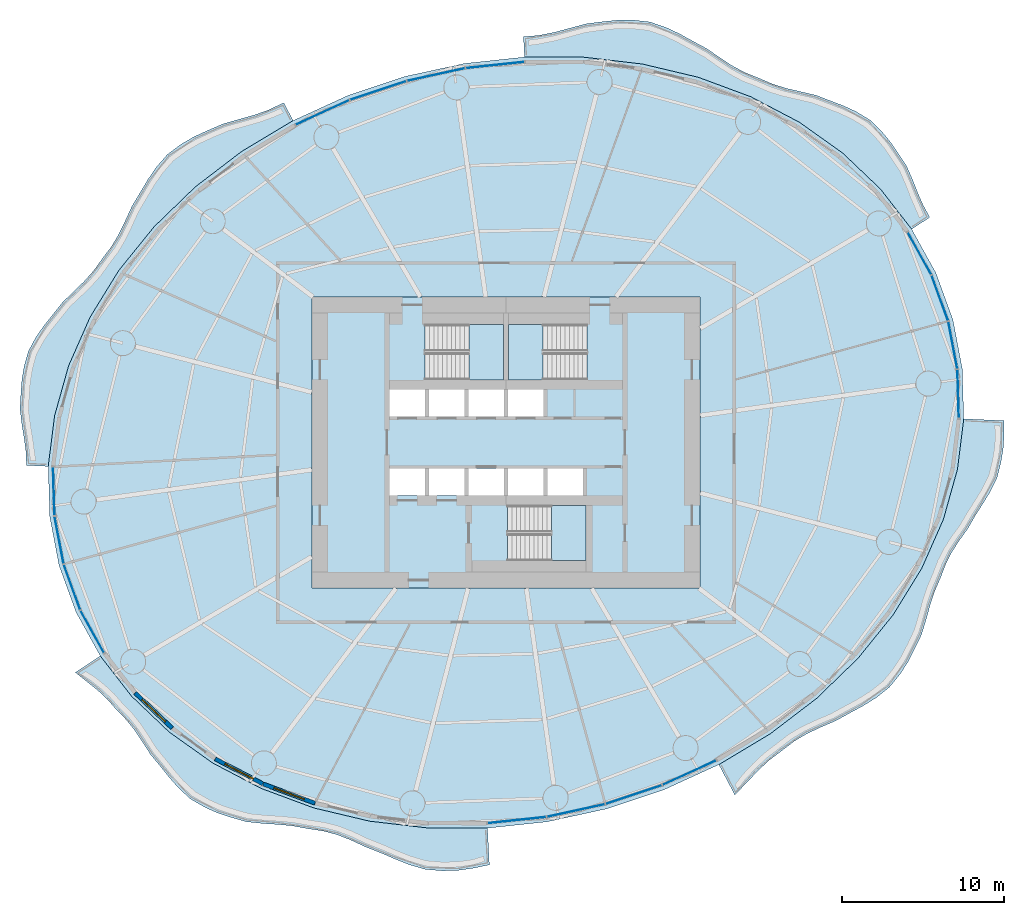
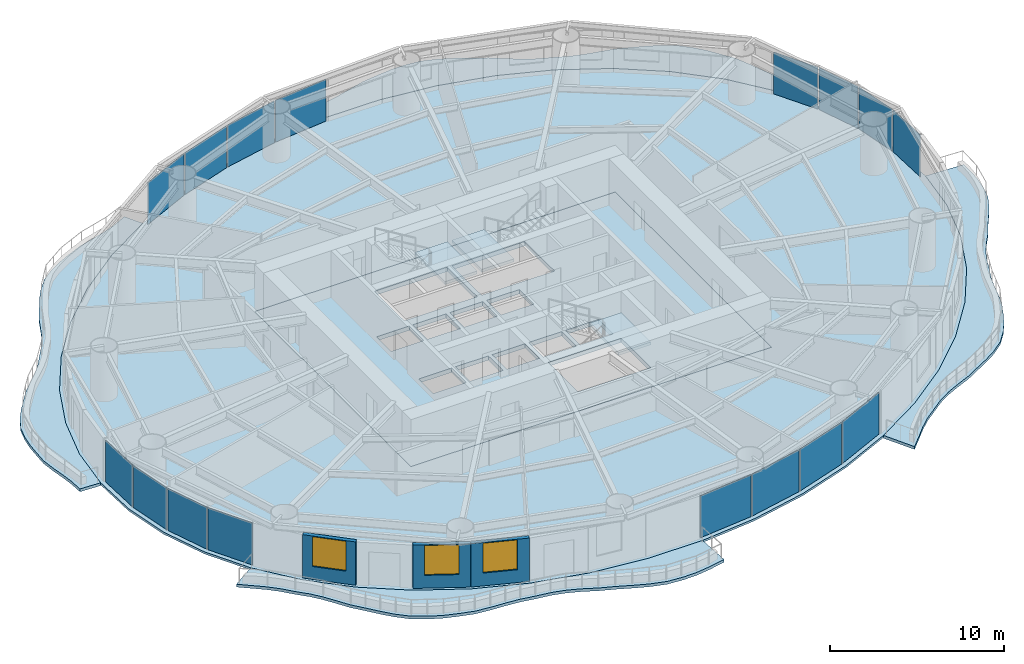
# One storey, part 7 of 16: 16 plates, 9 slabs, 3 walls, 3 windows, 3 openings, 19 elements without a shape of their own.
"""IFC4 building model written with IfcOpenShell, lengths in metres."""

from ifc_helpers import new_model, si_unit, direction, frame, frame_2d, origin, origin_2d, place, context, subcontext, project, spatial, polyline, rectangle, outline, extrude, material, layer, layer_set, type_object, element, fill, aggregate, save


model = new_model("IFC4")

# Units and contexts
model_context = context("Model", 3, precision=1e-05, world=origin(), true_north=direction((0.0, 1.0)))
body_context = subcontext(model_context, "Body", "Model", "MODEL_VIEW")
ifc_project = project(units=[si_unit("LENGTHUNIT", "METRE"), si_unit("AREAUNIT", "SQUARE_METRE"), si_unit("VOLUMEUNIT", "CUBIC_METRE"), si_unit("PLANEANGLEUNIT", "RADIAN"), si_unit("MASSUNIT", "GRAM", prefix="KILO")], contexts=[model_context])

# Site, building, storey
site_placement = place(None, origin())
site = spatial("IfcSite", under=ifc_project, at=site_placement, CompositionType="ELEMENT")
building_placement = place(site_placement, origin())
building = spatial("IfcBuilding", under=site, at=building_placement, Name="Vermilion Reach Broadcast Tower", CompositionType="ELEMENT")
storey_placement = place(building_placement, frame((0.0, 0.0, 95.800048828125)))
storey = spatial("IfcBuildingStorey", under=building, at=storey_placement, Name="L21", CompositionType="ELEMENT", Elevation=95.800048828125)

# Slabs
ifc_material_1 = material(Name="Concrete C40/50", Category="concrete")
ifc_layer_1 = layer(ifc_material_1, 0.199951171875)
ifc_layer_set_1 = layer_set([ifc_layer_1], Name="Balcony slab 200")
slab_type_1 = type_object("IfcSlabType", Name="Balcony slab 200", PredefinedType="FLOOR", material=ifc_layer_set_1)
placement_1 = place(storey_placement, frame((0.0, 0.0, -0.199951171875)))
element("IfcSlab", 1, at=placement_1, inside=storey, type_object=slab_type_1, Name="Balcony slab L21 group 1", PredefinedType="FLOOR", context=body_context, shape_type="SweptSolid", body=[
    extrude(outline(polyline([(19.07373046875, 13.1884765625), (17.14208984375, 15.67333984375), (14.814453125, 17.89013671875), (12.130615234375, 19.800537109375), (9.136474609375, 21.372314453125), (5.883544921875, 22.578369140625), (2.42724609375, 23.398193359375), (-1.17333984375, 23.817626953125), (-4.856689453125, 23.829345703125), (-4.92138671875, 25.085693359375), (-3.931396484375, 25.17333984375), (-3.010009765625, 25.357421875), (-2.08837890625, 25.607666015625), (-1.05029296875, 25.883544921875), (-0.00439453125, 26.020263671875), (0.918701171875, 26.113525390625), (1.831787109375, 26.118896484375), (2.8857421875, 26.00146484375), (3.877685546875, 25.665771484375), (4.698974609375, 25.2802734375), (5.50634765625, 24.836181640625), (6.417724609375, 24.34326171875), (7.25048828125, 23.770263671875), (7.9951171875, 23.283935546875), (8.76708984375, 22.87109375), (9.64794921875, 22.51953125), (10.501220703125, 22.153076171875), (11.322265625, 21.898193359375), (12.172607421875, 21.69921875), (13.155517578125, 21.468505859375), (14.076904296875, 21.114501953125), (14.8720703125, 20.811279296875), (15.6328125, 20.4599609375), (16.50146484375, 19.934814453125), (17.2119140625, 19.242431640625), (17.728759765625, 18.619873046875), (18.196044921875, 17.945556640625), (18.74462890625, 17.122802734375), (19.138916015625, 16.22900390625), (19.4375, 15.464599609375), (19.760498046875, 14.718994140625), (20.190185546875, 13.925537109375), (19.07373046875, 13.1884765625)])), origin(), (0.0, 0.0, 1.0), 0.199951171875),
])
element("IfcSlab", 2, at=placement_1, inside=storey, type_object=slab_type_1, Name="Balcony slab L21 group 2", PredefinedType="FLOOR", context=body_context, shape_type="SweptSolid", body=[
    extrude(outline(polyline([(-19.156005859375, 19.9013671875), (-22.31640625, 18.009765625), (-25.197265625, 15.809814453125), (-27.75, 13.33935546875), (-29.930419921875, 10.640869140625), (-31.701416015625, 7.76025390625), (-33.03271484375, 4.74658203125), (-33.9013671875, 1.652099609375), (-34.29248046875, -1.470947265625), (-35.63818359375, -1.4072265625), (-35.678955078125, -0.504150390625), (-35.785400390625, 0.302001953125), (-35.920654296875, 1.112060546875), (-36.037109375, 2.0830078125), (-35.982666015625, 3.07080078125), (-35.92041015625, 3.88818359375), (-35.788330078125, 4.685546875), (-35.52490234375, 5.641845703125), (-35.040771484375, 6.5341796875), (-34.561279296875, 7.222900390625), (-34.029541015625, 7.88818359375), (-33.417724609375, 8.66162109375), (-32.6923828125, 9.36181640625), (-32.066162109375, 9.96923828125), (-31.495361328125, 10.610595703125), (-30.95458984375, 11.364990234375), (-30.3828125, 12.12158203125), (-29.93505859375, 12.874755859375), (-29.546875, 13.67626953125), (-29.124755859375, 14.596435546875), (-28.592041015625, 15.486328125), (-28.12255859375, 16.2783203125), (-27.609619140625, 17.025390625), (-26.923583984375, 17.81591796875), (-26.07275390625, 18.449462890625), (-25.281005859375, 18.90576171875), (-24.436767578125, 19.29345703125), (-23.467041015625, 19.707275390625), (-22.4345703125, 20.000244140625), (-21.516357421875, 20.2587890625), (-20.633056640625, 20.576171875), (-19.740966796875, 21.012451171875), (-19.156005859375, 19.9013671875)])), origin(), (0.0, 0.0, 1.0), 0.199951171875),
])
element("IfcSlab", 3, at=placement_1, inside=storey, type_object=slab_type_1, Name="Balcony slab L21 group 3", PredefinedType="FLOOR", context=body_context, shape_type="SweptSolid", body=[
    extrude(outline(polyline([(-31.07373046875, -13.1884765625), (-29.14208984375, -15.67333984375), (-26.814453125, -17.89013671875), (-24.130615234375, -19.800537109375), (-21.136474609375, -21.372314453125), (-17.883544921875, -22.578369140625), (-14.42724609375, -23.398193359375), (-10.82666015625, -23.817626953125), (-7.143310546875, -23.829345703125), (-7.026123046875, -26.09814453125), (-8.072265625, -26.313232421875), (-8.993408203125, -26.443115234375), (-9.914306640625, -26.466552734375), (-10.979248046875, -26.378662109375), (-12.00244140625, -26.079833984375), (-12.874267578125, -25.731201171875), (-13.74267578125, -25.35400390625), (-14.705810546875, -24.979248046875), (-15.614013671875, -24.55419921875), (-16.449951171875, -24.23046875), (-17.308837890625, -24.003662109375), (-18.27099609375, -23.858642578125), (-19.218994140625, -23.685546875), (-20.1123046875, -23.60009765625), (-21.016357421875, -23.54345703125), (-22.053955078125, -23.430908203125), (-23.027099609375, -23.155029296875), (-23.840576171875, -22.8857421875), (-24.61376953125, -22.539794921875), (-25.49951171875, -22.028076171875), (-26.241455078125, -21.345703125), (-26.800048828125, -20.710205078125), (-27.333740234375, -20.03955078125), (-27.96435546875, -19.28369140625), (-28.4833984375, -18.477294921875), (-28.940673828125, -17.79248046875), (-29.444580078125, -17.15625), (-30.072265625, -16.5146484375), (-30.65283203125, -15.851318359375), (-31.236083984375, -15.307861328125), (-31.8671875, -14.802001953125), (-32.61669921875, -14.207275390625), (-31.07373046875, -13.1884765625)])), origin(), (0.0, 0.0, 1.0), 0.199951171875),
])
element("IfcSlab", 4, at=placement_1, inside=storey, type_object=slab_type_1, Name="Balcony slab L21 group 4", PredefinedType="FLOOR", context=body_context, shape_type="SweptSolid", body=[
    extrude(outline(polyline([(7.156005859375, -19.9013671875), (10.31640625, -18.009765625), (13.197265625, -15.809814453125), (15.75, -13.33935546875), (17.930419921875, -10.640869140625), (19.701416015625, -7.76025390625), (21.03271484375, -4.74658203125), (21.9013671875, -1.652099609375), (22.29248046875, 1.470947265625), (24.779052734375, 1.35302734375), (24.778564453125, 0.366455078125), (24.726318359375, -0.419921875), (24.5927734375, -1.1962890625), (24.359375, -2.148193359375), (23.91650390625, -3.05224609375), (23.48095703125, -3.7646484375), (23.02880859375, -4.472412109375), (22.5576171875, -5.29443359375), (21.999755859375, -6.07421875), (21.55029296875, -6.776123046875), (21.177490234375, -7.511962890625), (20.851318359375, -8.364013671875), (20.4765625, -9.22900390625), (20.207275390625, -10.055908203125), (19.974609375, -10.9052734375), (19.677734375, -11.876220703125), (19.230224609375, -12.80615234375), (18.822509765625, -13.591796875), (18.3486328125, -14.32421875), (17.69775390625, -15.120361328125), (16.869873046875, -15.773681640625), (16.098388671875, -16.25341796875), (15.286865234375, -16.69189453125), (14.384765625, -17.189697265625), (13.425537109375, -17.60205078125), (12.587158203125, -17.9970703125), (11.80322265625, -18.463623046875), (11.02685546875, -19.0576171875), (10.231689453125, -19.6611328125), (9.544921875, -20.306640625), (8.888916015625, -21.003662109375), (8.142578125, -21.775634765625), (7.156005859375, -19.9013671875)])), origin(), (0.0, 0.0, 1.0), 0.199951171875),
])
ifc_material_2 = material(Name="Concrete C40", Category="concrete")
ifc_layer_2 = layer(ifc_material_2, 0.300048828125)
ifc_layer_set_2 = layer_set([ifc_layer_2], Name="Core floor slab 300 mm Concrete C40")
slab_type_2 = type_object("IfcSlabType", Name="Core floor slab 300 mm Concrete C40", PredefinedType="FLOOR", material=ifc_layer_set_2)
slab_5_placement = place(storey_placement, frame((0.0, 0.0, -0.300048828125)))
element("IfcSlab", 5, at=slab_5_placement, inside=storey, type_object=slab_type_2, Name="L21 core floor", PredefinedType="FLOOR", context=body_context, shape_type="SweptSolid", body=[
    extrude(outline(polyline([(-18.0, -9.0), (6.0, -9.0), (6.0, 9.0), (-18.0, 9.0), (-18.0, -9.0)]), holes=[polyline([(-13.199951171875, 1.60009765625), (-11.00830078125, 1.60009765625), (-11.00830078125, 3.280029296875), (-13.199951171875, 3.280029296875), (-13.199951171875, 1.60009765625)]), polyline([(-10.75830078125, 1.60009765625), (-8.566650390625, 1.60009765625), (-8.566650390625, 3.280029296875), (-10.75830078125, 3.280029296875), (-10.75830078125, 1.60009765625)]), polyline([(-8.316650390625, 1.60009765625), (-6.125, 1.60009765625), (-6.125, 3.280029296875), (-8.316650390625, 3.280029296875), (-8.316650390625, 1.60009765625)]), polyline([(-5.875, 1.60009765625), (-3.683349609375, 1.60009765625), (-3.683349609375, 3.280029296875), (-5.875, 3.280029296875), (-5.875, 1.60009765625)]), polyline([(-13.199951171875, -3.280029296875), (-11.00830078125, -3.280029296875), (-11.00830078125, -1.60009765625), (-13.199951171875, -1.60009765625), (-13.199951171875, -3.280029296875)]), polyline([(-10.75830078125, -3.280029296875), (-8.566650390625, -3.280029296875), (-8.566650390625, -1.60009765625), (-10.75830078125, -1.60009765625), (-10.75830078125, -3.280029296875)]), polyline([(-8.316650390625, -3.280029296875), (-6.125, -3.280029296875), (-6.125, -1.60009765625), (-8.316650390625, -1.60009765625), (-8.316650390625, -3.280029296875)]), polyline([(-5.875, -3.280029296875), (-3.683349609375, -3.280029296875), (-3.683349609375, -1.60009765625), (-5.875, -1.60009765625), (-5.875, -3.280029296875)]), polyline([(-3.433349609375, -3.280029296875), (-1.24169921875, -3.280029296875), (-1.24169921875, -1.60009765625), (-3.433349609375, -1.60009765625), (-3.433349609375, -3.280029296875)]), polyline([(-10.999267578125, 3.8798828125), (-6.14990234375, 3.8798828125), (-6.14990234375, 7.300048828125), (-10.999267578125, 7.300048828125), (-10.999267578125, 3.8798828125)]), polyline([(-1.000732421875, 7.300048828125), (-5.85009765625, 7.300048828125), (-5.85009765625, 3.8798828125), (-1.000732421875, 3.8798828125), (-1.000732421875, 7.300048828125)]), polyline([(-5.8994140625, -7.300048828125), (-1.050048828125, -7.300048828125), (-1.050048828125, -3.8798828125), (-5.8994140625, -3.8798828125), (-5.8994140625, -7.300048828125)])]), origin(), (0.0, 0.0, 1.0), 0.300048828125),
])

# Stair, slab
ifc_material_3 = material(Name="Concrete C40", Category="concrete")
stair_type = type_object("IfcStairType", Name="Exit stair RC 22 risers 164 mm", PredefinedType="HALF_TURN_STAIR", material=ifc_material_3)
placement_2 = place(storey_placement, origin())
stair_1 = element("IfcStair", 6, at=placement_2, inside=storey, type_object=stair_type, Name="L21 Exit stair ST1", PredefinedType="HALF_TURN_STAIR")
ifc_material_4 = material(Name="Concrete C40", Category="concrete")
ifc_layer_3 = layer(ifc_material_4, 0.199951171875)
ifc_layer_set_3 = layer_set([ifc_layer_3], Name="Exit stair landing Concrete C40")
slab_type_3 = type_object("IfcSlabType", Name="Exit stair landing Concrete C40", PredefinedType="LANDING", material=ifc_layer_set_3)
placement_3 = place(storey_placement, frame((0.0, 0.0, 1.599853515625)))
slab_6 = element("IfcSlab", 7, at=placement_3, type_object=slab_type_3, Name="ST1 landing 1", PredefinedType="LANDING", context=body_context, shape_type="SweptSolid", body=[
    extrude(outline(polyline([(-8.300048828125, 3.8798828125), (-6.14990234375, 3.8798828125), (-6.14990234375, 7.300048828125), (-8.300048828125, 7.300048828125), (-8.300048828125, 3.8798828125)])), origin(), (0.0, 0.0, 1.0), 0.2001953125),
])
aggregate(stair_1, [slab_6])

stair_2 = element("IfcStair", 8, at=placement_2, inside=storey, type_object=stair_type, Name="L21 Exit stair ST2", PredefinedType="HALF_TURN_STAIR")
slab_7 = element("IfcSlab", 9, at=placement_3, type_object=slab_type_3, Name="ST2 landing 1", PredefinedType="LANDING", context=body_context, shape_type="SweptSolid", body=[
    extrude(outline(polyline([(-3.699951171875, 7.300048828125), (-5.85009765625, 7.300048828125), (-5.85009765625, 3.8798828125), (-3.699951171875, 3.8798828125), (-3.699951171875, 7.300048828125)])), origin(), (0.0, 0.0, 1.0), 0.2001953125),
])
aggregate(stair_2, [slab_7])

stair_3 = element("IfcStair", 10, at=placement_2, inside=storey, type_object=stair_type, Name="L21 Exit stair ST3", PredefinedType="HALF_TURN_STAIR")
slab_8 = element("IfcSlab", 11, at=placement_3, type_object=slab_type_3, Name="ST3 landing 1", PredefinedType="LANDING", context=body_context, shape_type="SweptSolid", body=[
    extrude(outline(polyline([(-3.199951171875, -7.300048828125), (-1.050048828125, -7.300048828125), (-1.050048828125, -3.8798828125), (-3.199951171875, -3.8798828125), (-3.199951171875, -7.300048828125)])), origin(), (0.0, 0.0, 1.0), 0.2001953125),
])
aggregate(stair_3, [slab_8])

# Slab
ifc_material_5 = material(Name="Concrete C40", Category="concrete")
ifc_layer_4 = layer(ifc_material_5, 0.14990234375)
ifc_layer_set_4 = layer_set([ifc_layer_4], Name="Floor slab Concrete C40 composite 150")
slab_type_4 = type_object("IfcSlabType", Name="Floor slab Concrete C40 composite 150", PredefinedType="FLOOR", material=ifc_layer_set_4)
slab_9_placement = place(storey_placement, frame((0.0, 0.0, -0.150146484375)))
element("IfcSlab", 12, at=slab_9_placement, inside=storey, type_object=slab_type_4, Name="Floor slab L21", PredefinedType="FLOOR", context=body_context, shape_type="SweptSolid", body=[
    extrude(outline(polyline([(21.62451171875, 7.58837890625), (20.576416015625, 10.47802734375), (19.07373046875, 13.1884765625), (17.14208984375, 15.67333984375), (14.814453125, 17.89013671875), (12.130615234375, 19.800537109375), (9.136474609375, 21.372314453125), (5.883544921875, 22.578369140625), (2.42724609375, 23.398193359375), (-1.17333984375, 23.817626953125), (-4.856689453125, 23.829345703125), (-8.559326171875, 23.43359375), (-12.21826171875, 22.63671875), (-15.770751953125, 21.45263671875), (-19.156005859375, 19.9013671875), (-22.31640625, 18.009765625), (-25.197265625, 15.809814453125), (-27.75, 13.33935546875), (-29.930419921875, 10.640869140625), (-31.701416015625, 7.76025390625), (-33.03271484375, 4.74658203125), (-33.9013671875, 1.652099609375), (-34.29248046875, -1.470947265625), (-34.19970703125, -4.568603515625), (-33.62451171875, -7.58837890625), (-32.576416015625, -10.47802734375), (-31.07373046875, -13.1884765625), (-29.14208984375, -15.67333984375), (-26.814453125, -17.89013671875), (-24.130615234375, -19.800537109375), (-21.136474609375, -21.372314453125), (-17.883544921875, -22.578369140625), (-14.42724609375, -23.398193359375), (-10.82666015625, -23.817626953125), (-7.143310546875, -23.829345703125), (-3.440673828125, -23.43359375), (0.21826171875, -22.63671875), (3.770751953125, -21.45263671875), (7.156005859375, -19.9013671875), (10.31640625, -18.009765625), (13.197265625, -15.809814453125), (15.75, -13.33935546875), (17.930419921875, -10.640869140625), (19.701416015625, -7.76025390625), (21.03271484375, -4.74658203125), (21.9013671875, -1.652099609375), (22.29248046875, 1.470947265625), (22.19970703125, 4.568603515625), (21.62451171875, 7.58837890625)]), holes=[polyline([(-18.0, -9.0), (6.0, -9.0), (6.0, 9.0), (-18.0, 9.0), (-18.0, -9.0)])]), origin(), (0.0, 0.0, 1.0), 0.150146484375),
])

# Curtain wall, plate
ifc_material_6 = material(Name="Low-e laminated clear glass in aluminium frame", Category="aluminium")
curtain_wall_type = type_object("IfcCurtainWallType", Name="Slot curtain wall", PredefinedType="NOTDEFINED", material=ifc_material_6)
curtain_wall_1 = element("IfcCurtainWall", 13, at=placement_2, inside=storey, type_object=curtain_wall_type, Name="Slot curtain wall L21 46", PredefinedType="NOTDEFINED")
ifc_material_7 = material(Name="Low-e laminated clear glass", Category="glass")
ifc_layer_5 = layer(ifc_material_7, 0.028076171875)
ifc_layer_set_5 = layer_set([ifc_layer_5], Name="Slot glass panel")
plate_type = type_object("IfcPlateType", Name="Slot glass panel", PredefinedType="CURTAIN_PANEL", material=ifc_layer_set_5)
plate_1_placement = place(storey_placement, frame((21.947265625, 3.0107421875, 0.0), z_axis=(0.0, 0.0, 1.0), x_axis=(-0.029936161139, 0.999551812692, 0.0)))
plate_1 = element("IfcPlate", 14, at=plate_1_placement, type_object=plate_type, Name="Slot glass panel L21 46", PredefinedType="CURTAIN_PANEL", context=body_context, shape_type="SweptSolid", body=[
    extrude(rectangle(XDim=2.97216796875, YDim=0.028076171875, at=origin_2d()), origin(), (0.0, 0.0, 1.0), 2.949951171875),
])
aggregate(curtain_wall_1, [plate_1])

curtain_wall_2 = element("IfcCurtainWall", 15, at=placement_2, inside=storey, type_object=curtain_wall_type, Name="Slot curtain wall L21 47", PredefinedType="NOTDEFINED")
plate_2_placement = place(storey_placement, frame((21.618408203125, 6.0224609375, 0.0), z_axis=(0.0, 0.0, 1.0), x_axis=(-0.1871545643, 0.982330478537, 0.0)))
plate_2 = element("IfcPlate", 16, at=plate_2_placement, type_object=plate_type, Name="Slot glass panel L21 47", PredefinedType="CURTAIN_PANEL", context=body_context, shape_type="SweptSolid", body=[
    extrude(rectangle(XDim=2.9462890625, YDim=0.028076171875, at=origin_2d()), origin(), (0.0, 0.0, 1.0), 2.949951171875),
])
aggregate(curtain_wall_2, [plate_2])

curtain_wall_3 = element("IfcCurtainWall", 17, at=placement_2, inside=storey, type_object=curtain_wall_type, Name="Slot curtain wall L21 00", PredefinedType="NOTDEFINED")
plate_3_placement = place(storey_placement, frame((20.8193359375, 8.931396484375, 0.0), z_axis=(0.0, 0.0, 1.0), x_axis=(-0.340924965281, 0.940090510562, 0.0)))
plate_3 = element("IfcPlate", 18, at=plate_3_placement, type_object=plate_type, Name="Slot glass panel L21 00", PredefinedType="CURTAIN_PANEL", context=body_context, shape_type="SweptSolid", body=[
    extrude(rectangle(XDim=2.9462890625, YDim=0.028076171875, at=origin_2d()), origin(), (0.0, 0.0, 1.0), 2.949951171875),
])
aggregate(curtain_wall_3, [plate_3])

curtain_wall_4 = element("IfcCurtainWall", 19, at=placement_2, inside=storey, type_object=curtain_wall_type, Name="Slot curtain wall L21 01", PredefinedType="NOTDEFINED")
plate_4_placement = place(storey_placement, frame((19.5634765625, 11.6884765625, 0.0), z_axis=(0.0, 0.0, 1.0), x_axis=(-0.484878476718, 0.87458153583, 0.0)))
plate_4 = element("IfcPlate", 20, at=plate_4_placement, type_object=plate_type, Name="Slot glass panel L21 01", PredefinedType="CURTAIN_PANEL", context=body_context, shape_type="SweptSolid", body=[
    extrude(rectangle(XDim=2.97216796875, YDim=0.028076171875, at=origin_2d()), origin(), (0.0, 0.0, 1.0), 2.949951171875),
])
aggregate(curtain_wall_4, [plate_4])

curtain_wall_5 = element("IfcCurtainWall", 21, at=placement_2, inside=storey, type_object=curtain_wall_type, Name="Slot curtain wall L21 10", PredefinedType="NOTDEFINED")
plate_5_placement = place(storey_placement, frame((-6.67626953125, 23.33349609375, 0.0), z_axis=(0.0, 0.0, 1.0), x_axis=(-0.994333373012, -0.106306835692, 0.0)))
plate_5 = element("IfcPlate", 22, at=plate_5_placement, type_object=plate_type, Name="Slot glass panel L21 10", PredefinedType="CURTAIN_PANEL", context=body_context, shape_type="SweptSolid", body=[
    extrude(rectangle(XDim=3.611328125, YDim=0.028076171875, at=origin_2d()), origin(), (0.0, 0.0, 1.0), 2.949951171875),
])
aggregate(curtain_wall_5, [plate_5])

curtain_wall_6 = element("IfcCurtainWall", 23, at=placement_2, inside=storey, type_object=curtain_wall_type, Name="Slot curtain wall L21 11", PredefinedType="NOTDEFINED")
plate_6_placement = place(storey_placement, frame((-10.324951171875, 22.742431640625, 0.0), z_axis=(0.0, 0.0, 1.0), x_axis=(-0.977098842247, -0.212785931113, 0.0)))
plate_6 = element("IfcPlate", 24, at=plate_6_placement, type_object=plate_type, Name="Slot glass panel L21 11", PredefinedType="CURTAIN_PANEL", context=body_context, shape_type="SweptSolid", body=[
    extrude(rectangle(XDim=3.632568359375, YDim=0.028076171875, at=origin_2d()), origin(), (0.0, 0.0, 1.0), 2.949951171875),
])
aggregate(curtain_wall_6, [plate_6])

curtain_wall_7 = element("IfcCurtainWall", 25, at=placement_2, inside=storey, type_object=curtain_wall_type, Name="Slot curtain wall L21 12", PredefinedType="NOTDEFINED")
plate_7_placement = place(storey_placement, frame((-13.899658203125, 21.760498046875, 0.0), z_axis=(0.0, 0.0, 1.0), x_axis=(-0.948686745853, -0.316217422421, 0.0)))
plate_7 = element("IfcPlate", 26, at=plate_7_placement, type_object=plate_type, Name="Slot glass panel L21 12", PredefinedType="CURTAIN_PANEL", context=body_context, shape_type="SweptSolid", body=[
    extrude(rectangle(XDim=3.632568359375, YDim=0.028076171875, at=origin_2d()), origin(), (0.0, 0.0, 1.0), 2.949951171875),
])
aggregate(curtain_wall_7, [plate_7])

curtain_wall_8 = element("IfcCurtainWall", 27, at=placement_2, inside=storey, type_object=curtain_wall_type, Name="Slot curtain wall L21 13", PredefinedType="NOTDEFINED")
plate_8_placement = place(storey_placement, frame((-17.338623046875, 20.40478515625, 0.0), z_axis=(0.0, 0.0, 1.0), x_axis=(-0.909108509521, -0.41655938102, 0.0)))
plate_8 = element("IfcPlate", 28, at=plate_8_placement, type_object=plate_type, Name="Slot glass panel L21 13", PredefinedType="CURTAIN_PANEL", context=body_context, shape_type="SweptSolid", body=[
    extrude(rectangle(XDim=3.611328125, YDim=0.028076171875, at=origin_2d()), origin(), (0.0, 0.0, 1.0), 2.949951171875),
])
aggregate(curtain_wall_8, [plate_8])

curtain_wall_9 = element("IfcCurtainWall", 29, at=placement_2, inside=storey, type_object=curtain_wall_type, Name="Slot curtain wall L21 22", PredefinedType="NOTDEFINED")
plate_9_placement = place(storey_placement, frame((-33.947265625, -3.0107421875, 0.0), z_axis=(0.0, 0.0, 1.0), x_axis=(0.029936161139, -0.999551812692, 0.0)))
plate_9 = element("IfcPlate", 30, at=plate_9_placement, type_object=plate_type, Name="Slot glass panel L21 22", PredefinedType="CURTAIN_PANEL", context=body_context, shape_type="SweptSolid", body=[
    extrude(rectangle(XDim=2.97216796875, YDim=0.028076171875, at=origin_2d()), origin(), (0.0, 0.0, 1.0), 2.949951171875),
])
aggregate(curtain_wall_9, [plate_9])

curtain_wall_10 = element("IfcCurtainWall", 31, at=placement_2, inside=storey, type_object=curtain_wall_type, Name="Slot curtain wall L21 23", PredefinedType="NOTDEFINED")
plate_10_placement = place(storey_placement, frame((-33.618408203125, -6.0224609375, 0.0), z_axis=(0.0, 0.0, 1.0), x_axis=(0.1871545643, -0.982330478537, 0.0)))
plate_10 = element("IfcPlate", 32, at=plate_10_placement, type_object=plate_type, Name="Slot glass panel L21 23", PredefinedType="CURTAIN_PANEL", context=body_context, shape_type="SweptSolid", body=[
    extrude(rectangle(XDim=2.9462890625, YDim=0.028076171875, at=origin_2d()), origin(), (0.0, 0.0, 1.0), 2.949951171875),
])
aggregate(curtain_wall_10, [plate_10])

curtain_wall_11 = element("IfcCurtainWall", 33, at=placement_2, inside=storey, type_object=curtain_wall_type, Name="Slot curtain wall L21 24", PredefinedType="NOTDEFINED")
plate_11_placement = place(storey_placement, frame((-32.8193359375, -8.931396484375, 0.0), z_axis=(0.0, 0.0, 1.0), x_axis=(0.340924965281, -0.940090510562, 0.0)))
plate_11 = element("IfcPlate", 34, at=plate_11_placement, type_object=plate_type, Name="Slot glass panel L21 24", PredefinedType="CURTAIN_PANEL", context=body_context, shape_type="SweptSolid", body=[
    extrude(rectangle(XDim=2.9462890625, YDim=0.028076171875, at=origin_2d()), origin(), (0.0, 0.0, 1.0), 2.949951171875),
])
aggregate(curtain_wall_11, [plate_11])

curtain_wall_12 = element("IfcCurtainWall", 35, at=placement_2, inside=storey, type_object=curtain_wall_type, Name="Slot curtain wall L21 25", PredefinedType="NOTDEFINED")
plate_12_placement = place(storey_placement, frame((-31.5634765625, -11.6884765625, 0.0), z_axis=(0.0, 0.0, 1.0), x_axis=(0.484878476718, -0.87458153583, 0.0)))
plate_12 = element("IfcPlate", 36, at=plate_12_placement, type_object=plate_type, Name="Slot glass panel L21 25", PredefinedType="CURTAIN_PANEL", context=body_context, shape_type="SweptSolid", body=[
    extrude(rectangle(XDim=2.97216796875, YDim=0.028076171875, at=origin_2d()), origin(), (0.0, 0.0, 1.0), 2.949951171875),
])
aggregate(curtain_wall_12, [plate_12])

curtain_wall_13 = element("IfcCurtainWall", 37, at=placement_2, inside=storey, type_object=curtain_wall_type, Name="Slot curtain wall L21 34", PredefinedType="NOTDEFINED")
plate_13_placement = place(storey_placement, frame((-5.32373046875, -23.33349609375, 0.0), z_axis=(0.0, 0.0, 1.0), x_axis=(0.994333373012, 0.106306835692, 0.0)))
plate_13 = element("IfcPlate", 38, at=plate_13_placement, type_object=plate_type, Name="Slot glass panel L21 34", PredefinedType="CURTAIN_PANEL", context=body_context, shape_type="SweptSolid", body=[
    extrude(rectangle(XDim=3.611328125, YDim=0.028076171875, at=origin_2d()), origin(), (0.0, 0.0, 1.0), 2.949951171875),
])
aggregate(curtain_wall_13, [plate_13])

curtain_wall_14 = element("IfcCurtainWall", 39, at=placement_2, inside=storey, type_object=curtain_wall_type, Name="Slot curtain wall L21 35", PredefinedType="NOTDEFINED")
plate_14_placement = place(storey_placement, frame((-1.675048828125, -22.742431640625, 0.0), z_axis=(0.0, 0.0, 1.0), x_axis=(0.977098842247, 0.212785931113, 0.0)))
plate_14 = element("IfcPlate", 40, at=plate_14_placement, type_object=plate_type, Name="Slot glass panel L21 35", PredefinedType="CURTAIN_PANEL", context=body_context, shape_type="SweptSolid", body=[
    extrude(rectangle(XDim=3.632568359375, YDim=0.028076171875, at=origin_2d()), origin(), (0.0, 0.0, 1.0), 2.949951171875),
])
aggregate(curtain_wall_14, [plate_14])

curtain_wall_15 = element("IfcCurtainWall", 41, at=placement_2, inside=storey, type_object=curtain_wall_type, Name="Slot curtain wall L21 36", PredefinedType="NOTDEFINED")
plate_15_placement = place(storey_placement, frame((1.899658203125, -21.760498046875, 0.0), z_axis=(0.0, 0.0, 1.0), x_axis=(0.948686745853, 0.316217422421, 0.0)))
plate_15 = element("IfcPlate", 42, at=plate_15_placement, type_object=plate_type, Name="Slot glass panel L21 36", PredefinedType="CURTAIN_PANEL", context=body_context, shape_type="SweptSolid", body=[
    extrude(rectangle(XDim=3.632568359375, YDim=0.028076171875, at=origin_2d()), origin(), (0.0, 0.0, 1.0), 2.949951171875),
])
aggregate(curtain_wall_15, [plate_15])

curtain_wall_16 = element("IfcCurtainWall", 43, at=placement_2, inside=storey, type_object=curtain_wall_type, Name="Slot curtain wall L21 37", PredefinedType="NOTDEFINED")
plate_16_placement = place(storey_placement, frame((5.338623046875, -20.40478515625, 0.0), z_axis=(0.0, 0.0, 1.0), x_axis=(0.909108509521, 0.41655938102, 0.0)))
plate_16 = element("IfcPlate", 44, at=plate_16_placement, type_object=plate_type, Name="Slot glass panel L21 37", PredefinedType="CURTAIN_PANEL", context=body_context, shape_type="SweptSolid", body=[
    extrude(rectangle(XDim=3.611328125, YDim=0.028076171875, at=origin_2d()), origin(), (0.0, 0.0, 1.0), 2.949951171875),
])
aggregate(curtain_wall_16, [plate_16])

# Wall, opening, window
ifc_material_8 = material(Name="Terracotta rainscreen cladding", Category="masonry")
ifc_layer_6 = layer(ifc_material_8, 0.25)
ifc_layer_set_6 = layer_set([ifc_layer_6], Name="Terracotta rainscreen wall 250")
wall_type = type_object("IfcWallType", Name="Terracotta rainscreen wall 250", PredefinedType="SOLIDWALL", material=ifc_layer_set_6)
wall_1_placement = place(storey_placement, frame((-28.91015625, -15.481201171875, 0.0), z_axis=(0.0, 0.0, 1.0), x_axis=(0.724171165965, -0.689620274053, 0.0)))
wall_1 = element("IfcWall", 45, at=wall_1_placement, inside=storey, type_object=wall_type, Name="External wall L21 27", PredefinedType="SOLIDWALL", context=body_context, shape_type="SweptSolid", body=[
    extrude(rectangle(XDim=3.14453125, YDim=0.25, at=frame_2d((1.572265625, 0.0))), origin(), (0.0, 0.0, 1.0), 3.050048828125),
])
opening_1_placement = place(wall_1_placement, frame((0.572265625, 0.0, 0.89990234375)))
opening_1 = element("IfcOpeningElement", 46, at=opening_1_placement, cuts=wall_1, Name="Opening W03", PredefinedType="OPENING", context=body_context, shape_type="SweptSolid", body=[
    extrude(rectangle(XDim=2.0, YDim=2.10009765625, at=frame_2d((1.0, 1.050048828125))), frame((0.0, 0.135009765625, 0.0), z_axis=(0.0, -1.0, 0.0), x_axis=(1.0, 0.0, 0.0)), (0.0, 0.0, 1.0), 0.27001953125),
])
ifc_material_9 = material(Name="Low-e laminated clear glass in aluminium frame", Category="aluminium")
window_type = type_object("IfcWindowType", Name="Punched window 2000 x 2100 sill 900", PartitioningType="SINGLE_PANEL", PredefinedType="WINDOW", material=ifc_material_9)
window_1_placement = place(opening_1_placement, origin())
window_1 = element("IfcWindow", 47, at=window_1_placement, inside=storey, type_object=window_type, Name="Window L21 27", OverallHeight=2.10009765625, OverallWidth=2.0, PartitioningType="SINGLE_PANEL", PredefinedType="WINDOW", context=body_context, shape_type="SweptSolid", body=[
    extrude(rectangle(XDim=2.0, YDim=2.10009765625, at=frame_2d((1.0, 1.050048828125))), frame((0.0, 0.030029296875, 0.0), z_axis=(0.0, -1.0, 0.0), x_axis=(1.0, 0.0, 0.0)), (0.0, 0.0, 1.0), 0.06005859375),
])
fill(opening_1, window_1)

wall_2_placement = place(storey_placement, frame((-23.962646484375, -19.550537109375, 0.0), z_axis=(0.0, 0.0, 1.0), x_axis=(0.885406232021, -0.464818033534, 0.0)))
wall_2 = element("IfcWall", 48, at=wall_2_placement, inside=storey, type_object=wall_type, Name="External wall L21 29", PredefinedType="SOLIDWALL", context=body_context, shape_type="SweptSolid", body=[
    extrude(rectangle(XDim=3.3173828125, YDim=0.25, at=frame_2d((1.65869140625, 0.0))), origin(), (0.0, 0.0, 1.0), 3.050048828125),
])
opening_2_placement = place(wall_2_placement, frame((0.65869140625, 0.0, 0.89990234375)))
opening_2 = element("IfcOpeningElement", 49, at=opening_2_placement, cuts=wall_2, Name="Opening W03", PredefinedType="OPENING", context=body_context, shape_type="SweptSolid", body=[
    extrude(rectangle(XDim=2.0, YDim=2.10009765625, at=frame_2d((1.0, 1.050048828125))), frame((0.0, 0.135009765625, 0.0), z_axis=(0.0, -1.0, 0.0), x_axis=(1.0, 0.0, 0.0)), (0.0, 0.0, 1.0), 0.27001953125),
])
window_2_placement = place(opening_2_placement, origin())
window_2 = element("IfcWindow", 50, at=window_2_placement, inside=storey, type_object=window_type, Name="Window L21 29", OverallHeight=2.10009765625, OverallWidth=2.0, PartitioningType="SINGLE_PANEL", PredefinedType="WINDOW", context=body_context, shape_type="SweptSolid", body=[
    extrude(rectangle(XDim=2.0, YDim=2.10009765625, at=frame_2d((1.0, 1.050048828125))), frame((0.0, 0.030029296875, 0.0), z_axis=(0.0, -1.0, 0.0), x_axis=(1.0, 0.0, 0.0)), (0.0, 0.0, 1.0), 0.06005859375),
])
fill(opening_2, window_2)

wall_3_placement = place(storey_placement, frame((-21.00341796875, -21.102294921875, 0.0), z_axis=(0.0, 0.0, 1.0), x_axis=(0.937635520113, -0.347619952567, 0.0)))
wall_3 = element("IfcWall", 51, at=wall_3_placement, inside=storey, type_object=wall_type, Name="External wall L21 30", PredefinedType="SOLIDWALL", context=body_context, shape_type="SweptSolid", body=[
    extrude(rectangle(XDim=3.408447265625, YDim=0.25, at=frame_2d((1.7041015625, 0.0))), origin(), (0.0, 0.0, 1.0), 3.050048828125),
])
opening_3_placement = place(wall_3_placement, frame((0.7041015625, 0.0, 0.89990234375)))
opening_3 = element("IfcOpeningElement", 52, at=opening_3_placement, cuts=wall_3, Name="Opening W03", PredefinedType="OPENING", context=body_context, shape_type="SweptSolid", body=[
    extrude(rectangle(XDim=2.0, YDim=2.10009765625, at=frame_2d((1.0, 1.050048828125))), frame((0.0, 0.135009765625, 0.0), z_axis=(0.0, -1.0, 0.0), x_axis=(1.0, 0.0, 0.0)), (0.0, 0.0, 1.0), 0.27001953125),
])
window_3_placement = place(opening_3_placement, origin())
window_3 = element("IfcWindow", 53, at=window_3_placement, inside=storey, type_object=window_type, Name="Window L21 30", OverallHeight=2.10009765625, OverallWidth=2.0, PartitioningType="SINGLE_PANEL", PredefinedType="WINDOW", context=body_context, shape_type="SweptSolid", body=[
    extrude(rectangle(XDim=2.0, YDim=2.10009765625, at=frame_2d((1.0, 1.050048828125))), frame((0.0, 0.030029296875, 0.0), z_axis=(0.0, -1.0, 0.0), x_axis=(1.0, 0.0, 0.0)), (0.0, 0.0, 1.0), 0.06005859375),
])
fill(opening_3, window_3)

save(model, "model.ifc")
